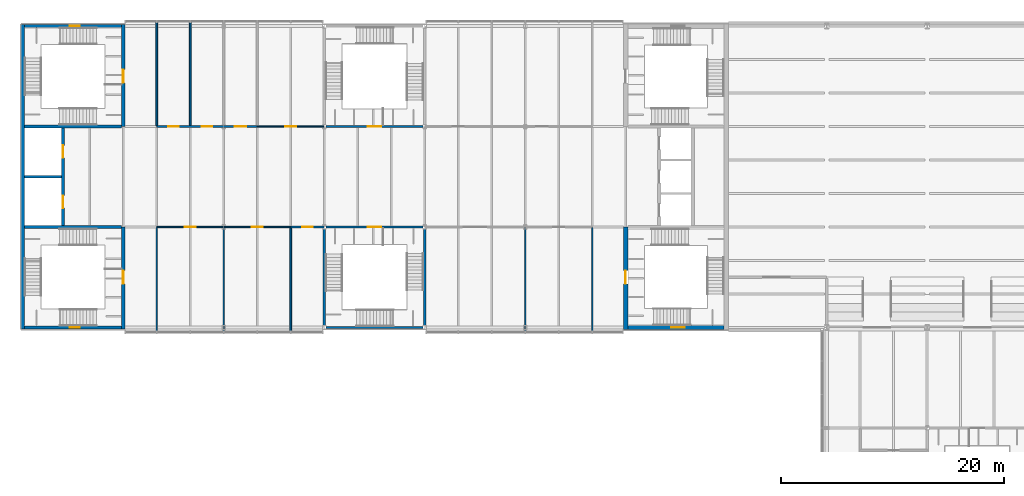
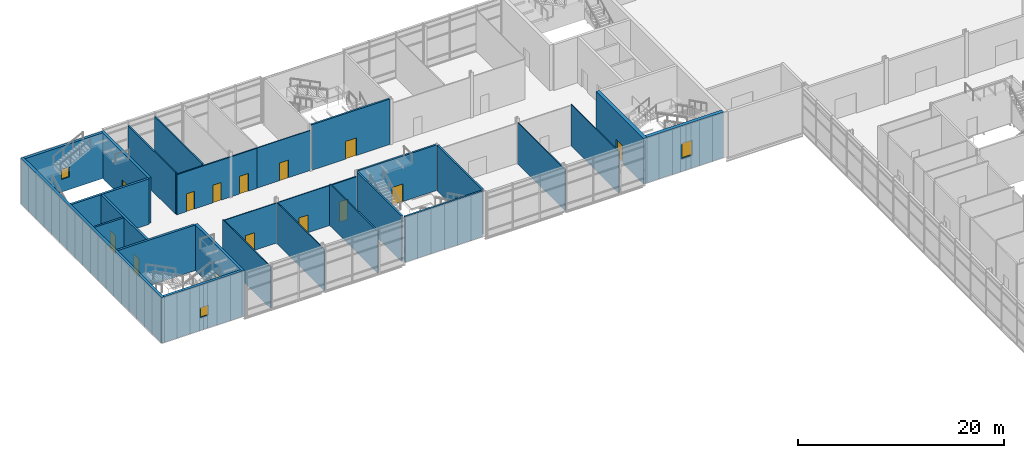
# One storey, part 35 of 52: 27 walls, 14 doors, 3 windows, 17 openings.
"""IFC4 building model written with IfcOpenShell, lengths in metres."""

from ifc_helpers import new_model, si_unit, direction, frame, frame_2d, origin, place, context, subcontext, project, spatial, rectangle, extrude, material, layer, layer_set, type_object, element, fill, save


model = new_model("IFC4")

# Units and contexts
model_context = context("Model", 3, precision=1e-05, world=origin(), true_north=direction((0.0, 1.0)))
body_context = subcontext(model_context, "Body", "Model", "MODEL_VIEW")
ifc_project = project(units=[si_unit("LENGTHUNIT", "METRE"), si_unit("AREAUNIT", "SQUARE_METRE"), si_unit("VOLUMEUNIT", "CUBIC_METRE"), si_unit("PLANEANGLEUNIT", "RADIAN"), si_unit("MASSUNIT", "GRAM", prefix="KILO")], contexts=[model_context])

# Site, building, storey
site_placement = place(None, origin())
site = spatial("IfcSite", under=ifc_project, at=site_placement, CompositionType="ELEMENT")
building_placement = place(site_placement, origin())
building = spatial("IfcBuilding", under=site, at=building_placement, Name="Azimuth Sports and Learning Centre", CompositionType="ELEMENT")
storey_placement = place(building_placement, frame((0.0, 0.0, 16.199951171875)))
storey = spatial("IfcBuildingStorey", under=building, at=storey_placement, Name="L03", CompositionType="ELEMENT", Elevation=16.199951171875)

# Wall
ifc_material_1 = material(Name="Dense masonry blockwork", Category="masonry")
ifc_layer_1 = layer(ifc_material_1, 0.199951171875)
ifc_layer_set_1 = layer_set([ifc_layer_1], Name="Dense masonry blockwork")
wall_type_1 = type_object("IfcWallType", Name="Blockwork wall 200 EI 120", PredefinedType="SOLIDWALL", material=ifc_layer_set_1)
wall_1_placement = place(storey_placement, frame((0.14990234375, 103.5, 0.0), z_axis=(0.0, 0.0, 1.0), x_axis=(1.0, 0.0, 0.0)))
element("IfcWall", 1, at=wall_1_placement, inside=storey, type_object=wall_type_1, Name="SD-WW-1-L03", PredefinedType="SOLIDWALL", context=body_context, shape_type="SweptSolid", body=[
    extrude(rectangle(XDim=3.3251953125, YDim=0.199951171875, at=frame_2d((1.66259765625, 0.0))), origin(), (0.0, 0.0, 1.0), 5.400146484375),
])

# Wall, openings, doors
ifc_material_2 = material(Name="Gypsum board on steel studs", Category="steel")
ifc_layer_2 = layer(ifc_material_2, 0.10009765625)
ifc_layer_set_2 = layer_set([ifc_layer_2], Name="Gypsum board on steel studs")
wall_type_2 = type_object("IfcWallType", Name="Partition 100 EI 30", PredefinedType="PARTITIONING", material=ifc_layer_set_2)
wall_2_placement = place(storey_placement, frame((12.0, 99.0, 0.0), z_axis=(0.0, 0.0, 1.0), x_axis=(1.0, 0.0, 0.0)))
wall_2 = element("IfcWall", 2, at=wall_2_placement, inside=storey, type_object=wall_type_2, Name="Partition 100 EI 30", PredefinedType="PARTITIONING", context=body_context, shape_type="SweptSolid", body=[
    extrude(rectangle(XDim=12.0, YDim=0.10009765625, at=frame_2d((6.0, 0.0))), origin(), (0.0, 0.0, 1.0), 4.75),
])
opening_1_placement = place(wall_2_placement, frame((2.5, 0.0, 0.0)))
opening_1 = element("IfcOpeningElement", 3, at=opening_1_placement, cuts=wall_2, Name="Opening D03-031", PredefinedType="OPENING", context=body_context, shape_type="SweptSolid", body=[
    extrude(rectangle(XDim=1.0, YDim=2.10009765625, at=frame_2d((0.5, 1.050048828125))), frame((0.0, 0.06103515625, 0.0), z_axis=(0.0, -1.0, 0.0), x_axis=(1.0, 0.0, 0.0)), (0.0, 0.0, 1.0), 0.1220703125),
])
opening_2_placement = place(wall_2_placement, frame((8.5, 0.0, 0.0)))
opening_2 = element("IfcOpeningElement", 4, at=opening_2_placement, cuts=wall_2, Name="Opening D03-032", PredefinedType="OPENING", context=body_context, shape_type="SweptSolid", body=[
    extrude(rectangle(XDim=1.0, YDim=2.10009765625, at=frame_2d((0.5, 1.050048828125))), frame((0.0, 0.06103515625, 0.0), z_axis=(0.0, -1.0, 0.0), x_axis=(1.0, 0.0, 0.0)), (0.0, 0.0, 1.0), 0.1220703125),
])
ifc_material_3 = material(Name="Timber fire door set", Category="wood")
door_type_1 = type_object("IfcDoorType", Name="Timber door single 1000x2100 FD30S", OperationType="NOTDEFINED", PredefinedType="DOOR", material=ifc_material_3)
door_1_placement = place(opening_1_placement, frame((1.0, 0.0, 0.0), z_axis=(0.0, 0.0, 1.0), x_axis=(-1.0, 0.0, 0.0)))
door_1 = element("IfcDoor", 5, at=door_1_placement, inside=storey, type_object=door_type_1, Name="Door D03-031", OperationType="SINGLE_SWING_RIGHT", OverallHeight=2.10009765625, OverallWidth=1.0, PredefinedType="DOOR", context=body_context, shape_type="SweptSolid", body=[
    extrude(rectangle(XDim=1.0, YDim=2.10009765625, at=frame_2d((0.5, 1.050048828125))), frame((0.0, 0.02490234375, 0.0), z_axis=(0.0, -1.0, 0.0), x_axis=(1.0, 0.0, 0.0)), (0.0, 0.0, 1.0), 0.050048828125),
])
fill(opening_1, door_1)
door_2_placement = place(opening_2_placement, frame((1.0, 0.0, 0.0), z_axis=(0.0, 0.0, 1.0), x_axis=(-1.0, 0.0, 0.0)))
door_2 = element("IfcDoor", 6, at=door_2_placement, inside=storey, type_object=door_type_1, Name="Door D03-032", OperationType="SINGLE_SWING_RIGHT", OverallHeight=2.10009765625, OverallWidth=1.0, PredefinedType="DOOR", context=body_context, shape_type="SweptSolid", body=[
    extrude(rectangle(XDim=1.0, YDim=2.10009765625, at=frame_2d((0.5, 1.050048828125))), frame((0.0, 0.02490234375, 0.0), z_axis=(0.0, -1.0, 0.0), x_axis=(1.0, 0.0, 0.0)), (0.0, 0.0, 1.0), 0.050048828125),
])
fill(opening_2, door_2)

# Wall, opening, door
wall_3_placement = place(storey_placement, frame((21.0, 108.0, 0.0), z_axis=(0.0, 0.0, 1.0), x_axis=(1.0, 0.0, 0.0)))
wall_3 = element("IfcWall", 7, at=wall_3_placement, inside=storey, type_object=wall_type_2, Name="Partition 100 EI 30", PredefinedType="PARTITIONING", context=body_context, shape_type="SweptSolid", body=[
    extrude(rectangle(XDim=6.0, YDim=0.10009765625, at=frame_2d((3.0, 0.0))), origin(), (0.0, 0.0, 1.0), 4.75),
])
opening_3_placement = place(wall_3_placement, frame((2.5, 0.0, 0.0)))
opening_3 = element("IfcOpeningElement", 8, at=opening_3_placement, cuts=wall_3, Name="Opening D03-039", PredefinedType="OPENING", context=body_context, shape_type="SweptSolid", body=[
    extrude(rectangle(XDim=1.0, YDim=2.10009765625, at=frame_2d((0.5, 1.050048828125))), frame((0.0, 0.06103515625, 0.0), z_axis=(0.0, -1.0, 0.0), x_axis=(1.0, 0.0, 0.0)), (0.0, 0.0, 1.0), 0.1220703125),
])
door_3_placement = place(opening_3_placement, origin())
door_3 = element("IfcDoor", 9, at=door_3_placement, inside=storey, type_object=door_type_1, Name="Door D03-039", OperationType="SINGLE_SWING_LEFT", OverallHeight=2.10009765625, OverallWidth=1.0, PredefinedType="DOOR", context=body_context, shape_type="SweptSolid", body=[
    extrude(rectangle(XDim=1.0, YDim=2.10009765625, at=frame_2d((0.5, 1.050048828125))), frame((0.0, 0.02490234375, 0.0), z_axis=(0.0, -1.0, 0.0), x_axis=(1.0, 0.0, 0.0)), (0.0, 0.0, 1.0), 0.050048828125),
])
fill(opening_3, door_3)

# Walls
wall_4_placement = place(storey_placement, frame((12.0, 89.699951171875, 0.0), z_axis=(0.0, 0.0, 1.0), x_axis=(0.0, 1.0, 0.0)))
element("IfcWall", 10, at=wall_4_placement, inside=storey, type_object=wall_type_2, Name="Partition 100 EI 30", PredefinedType="PARTITIONING", context=body_context, shape_type="SweptSolid", body=[
    extrude(rectangle(XDim=9.25, YDim=0.10009765625, at=frame_2d((4.625, 0.0))), origin(), (0.0, 0.0, 1.0), 4.920166015625),
])
for number, where, z_axis, x_axis, name in (
    (11, (18.0, 89.699951171875, 0.0), (0.0, 0.0, 1.0), (0.0, 1.0, 0.0), "Partition 100 EI 30"),
    (12, (45.0, 89.699951171875, 0.0), (0.0, 0.0, 1.0), (0.0, 1.0, 0.0), "Partition 100 EI 30"),
):
    element("IfcWall", number, at=place(storey_placement, frame(where, z_axis=z_axis, x_axis=x_axis)), inside=storey, type_object=wall_type_2, Name=name, PredefinedType="PARTITIONING", context=body_context, shape_type="SweptSolid", body=[
        extrude(rectangle(XDim=9.25, YDim=0.10009765625, at=frame_2d((4.625, 0.0))), origin(), (0.0, 0.0, 1.0), 4.89013671875),
    ])
wall_5_placement = place(storey_placement, frame((51.0, 89.699951171875, 0.0), z_axis=(0.0, 0.0, 1.0), x_axis=(0.0, 1.0, 0.0)))
element("IfcWall", 13, at=wall_5_placement, inside=storey, type_object=wall_type_2, Name="Partition 100 EI 30", PredefinedType="PARTITIONING", context=body_context, shape_type="SweptSolid", body=[
    extrude(rectangle(XDim=9.25, YDim=0.10009765625, at=frame_2d((4.625, 0.0))), origin(), (0.0, 0.0, 1.0), 4.920166015625),
])

# Wall, opening, door
ifc_material_4 = material(Name="Lightweight blockwork, rendered", Category="masonry")
ifc_layer_3 = layer(ifc_material_4, 0.14990234375)
ifc_layer_set_3 = layer_set([ifc_layer_3], Name="Lightweight blockwork, rendered")
wall_type_3 = type_object("IfcWallType", Name="Partition 150 EI 60", PredefinedType="PARTITIONING", material=ifc_layer_set_3)
wall_6_placement = place(storey_placement, frame((24.0, 99.0, 0.0), z_axis=(0.0, 0.0, 1.0), x_axis=(1.0, 0.0, 0.0)))
wall_6 = element("IfcWall", 14, at=wall_6_placement, inside=storey, type_object=wall_type_3, Name="Partition 150 EI 60", PredefinedType="PARTITIONING", context=body_context, shape_type="SweptSolid", body=[
    extrude(rectangle(XDim=3.0, YDim=0.14990234375, at=frame_2d((1.5, 0.0))), origin(), (0.0, 0.0, 1.0), 4.75),
])
opening_4_placement = place(wall_6_placement, frame((1.050048828125, 0.0, 0.0)))
opening_4 = element("IfcOpeningElement", 15, at=opening_4_placement, cuts=wall_6, Name="Opening D03-033", PredefinedType="OPENING", context=body_context, shape_type="SweptSolid", body=[
    extrude(rectangle(XDim=0.89990234375, YDim=2.39990234375, at=frame_2d((0.449951171875, 1.199951171875))), frame((0.0, 0.0859375, 0.0), z_axis=(0.0, -1.0, 0.0), x_axis=(1.0, 0.0, 0.0)), (0.0, 0.0, 1.0), 0.171875),
])
ifc_material_5 = material(Name="Timber fire door set", Category="wood")
door_type_2 = type_object("IfcDoorType", Name="Timber door single 900x2400 FD60", OperationType="NOTDEFINED", PredefinedType="DOOR", material=ifc_material_5)
door_4_placement = place(opening_4_placement, frame((0.89990234375, 0.0, 0.0), z_axis=(0.0, 0.0, 1.0), x_axis=(-1.0, 0.0, 0.0)))
door_4 = element("IfcDoor", 16, at=door_4_placement, inside=storey, type_object=door_type_2, Name="Door D03-033", OperationType="SINGLE_SWING_LEFT", OverallHeight=2.39990234375, OverallWidth=0.89990234375, PredefinedType="DOOR", context=body_context, shape_type="SweptSolid", body=[
    extrude(rectangle(XDim=0.89990234375, YDim=2.39990234375, at=frame_2d((0.449951171875, 1.199951171875))), frame((0.0, 0.02490234375, 0.0), z_axis=(0.0, -1.0, 0.0), x_axis=(1.0, 0.0, 0.0)), (0.0, 0.0, 1.0), 0.050048828125),
])
fill(opening_4, door_4)

# Wall, openings, doors
wall_7_placement = place(storey_placement, frame((12.0, 108.0, 0.0), z_axis=(0.0, 0.0, 1.0), x_axis=(1.0, 0.0, 0.0)))
wall_7 = element("IfcWall", 17, at=wall_7_placement, inside=storey, type_object=wall_type_3, Name="Partition 150 EI 60", PredefinedType="PARTITIONING", context=body_context, shape_type="SweptSolid", body=[
    extrude(rectangle(XDim=9.0, YDim=0.14990234375, at=frame_2d((4.5, 0.0))), origin(), (0.0, 0.0, 1.0), 4.75),
])
opening_5_placement = place(wall_7_placement, frame((1.050048828125, 0.0, 0.0)))
opening_5 = element("IfcOpeningElement", 18, at=opening_5_placement, cuts=wall_7, Name="Opening D03-036", PredefinedType="OPENING", context=body_context, shape_type="SweptSolid", body=[
    extrude(rectangle(XDim=0.89990234375, YDim=2.10009765625, at=frame_2d((0.449951171875, 1.050048828125))), frame((0.0, 0.0859375, 0.0), z_axis=(0.0, -1.0, 0.0), x_axis=(1.0, 0.0, 0.0)), (0.0, 0.0, 1.0), 0.171875),
])
opening_6_placement = place(wall_7_placement, frame((4.050048828125, 0.0, 0.0)))
opening_6 = element("IfcOpeningElement", 19, at=opening_6_placement, cuts=wall_7, Name="Opening D03-037", PredefinedType="OPENING", context=body_context, shape_type="SweptSolid", body=[
    extrude(rectangle(XDim=0.89990234375, YDim=2.10009765625, at=frame_2d((0.449951171875, 1.050048828125))), frame((0.0, 0.0859375, 0.0), z_axis=(0.0, -1.0, 0.0), x_axis=(1.0, 0.0, 0.0)), (0.0, 0.0, 1.0), 0.171875),
])
opening_7_placement = place(wall_7_placement, frame((7.0, 0.0, 0.0)))
opening_7 = element("IfcOpeningElement", 20, at=opening_7_placement, cuts=wall_7, Name="Opening D03-038", PredefinedType="OPENING", context=body_context, shape_type="SweptSolid", body=[
    extrude(rectangle(XDim=1.0, YDim=2.10009765625, at=frame_2d((0.5, 1.050048828125))), frame((0.0, 0.0859375, 0.0), z_axis=(0.0, -1.0, 0.0), x_axis=(1.0, 0.0, 0.0)), (0.0, 0.0, 1.0), 0.171875),
])
ifc_material_6 = material(Name="Timber fire door set", Category="wood")
door_type_3 = type_object("IfcDoorType", Name="Timber door single 1000x2100 FD60", OperationType="NOTDEFINED", PredefinedType="DOOR", material=ifc_material_6)
door_5_placement = place(opening_7_placement, origin())
door_5 = element("IfcDoor", 21, at=door_5_placement, inside=storey, type_object=door_type_3, Name="Door D03-038", OperationType="SINGLE_SWING_LEFT", OverallHeight=2.10009765625, OverallWidth=1.0, PredefinedType="DOOR", context=body_context, shape_type="SweptSolid", body=[
    extrude(rectangle(XDim=1.0, YDim=2.10009765625, at=frame_2d((0.5, 1.050048828125))), frame((0.0, 0.02490234375, 0.0), z_axis=(0.0, -1.0, 0.0), x_axis=(1.0, 0.0, 0.0)), (0.0, 0.0, 1.0), 0.050048828125),
])
fill(opening_7, door_5)
ifc_material_7 = material(Name="Timber fire door set", Category="wood")
door_type_4 = type_object("IfcDoorType", Name="Timber door single 900x2100 FD60", OperationType="NOTDEFINED", PredefinedType="DOOR", material=ifc_material_7)
door_6_placement = place(opening_5_placement, origin())
door_6 = element("IfcDoor", 22, at=door_6_placement, inside=storey, type_object=door_type_4, Name="Door D03-036", OperationType="SINGLE_SWING_RIGHT", OverallHeight=2.10009765625, OverallWidth=0.89990234375, PredefinedType="DOOR", context=body_context, shape_type="SweptSolid", body=[
    extrude(rectangle(XDim=0.89990234375, YDim=2.10009765625, at=frame_2d((0.449951171875, 1.050048828125))), frame((0.0, 0.02490234375, 0.0), z_axis=(0.0, -1.0, 0.0), x_axis=(1.0, 0.0, 0.0)), (0.0, 0.0, 1.0), 0.050048828125),
])
fill(opening_5, door_6)
door_7_placement = place(opening_6_placement, origin())
door_7 = element("IfcDoor", 23, at=door_7_placement, inside=storey, type_object=door_type_4, Name="Door D03-037", OperationType="SINGLE_SWING_LEFT", OverallHeight=2.10009765625, OverallWidth=0.89990234375, PredefinedType="DOOR", context=body_context, shape_type="SweptSolid", body=[
    extrude(rectangle(XDim=0.89990234375, YDim=2.10009765625, at=frame_2d((0.449951171875, 1.050048828125))), frame((0.0, 0.02490234375, 0.0), z_axis=(0.0, -1.0, 0.0), x_axis=(1.0, 0.0, 0.0)), (0.0, 0.0, 1.0), 0.050048828125),
])
fill(opening_6, door_7)

# Walls
for number, where, z_axis, x_axis, name in (
    (24, (12.0, 108.074951171875, 0.0), (0.0, 0.0, 1.0), (0.0, 1.0, 0.0), "Partition 150 EI 60"),
    (25, (15.0, 108.074951171875, 0.0), (0.0, 0.0, 1.0), (0.0, 1.0, 0.0), "Partition 150 EI 60"),
    (26, (24.0, 89.699951171875, 0.0), (0.0, 0.0, 1.0), (0.0, 1.0, 0.0), "Partition 150 EI 60"),
):
    element("IfcWall", number, at=place(storey_placement, frame(where, z_axis=z_axis, x_axis=x_axis)), inside=storey, type_object=wall_type_3, Name=name, PredefinedType="PARTITIONING", context=body_context, shape_type="SweptSolid", body=[
        extrude(rectangle(XDim=9.22509765625, YDim=0.14990234375, at=frame_2d((4.612548828125, 0.0))), origin(), (0.0, 0.0, 1.0), 4.920166015625),
    ])

# Wall, opening, door
ifc_material_8 = material(Name="Concrete C40/50", Category="concrete")
ifc_layer_4 = layer(ifc_material_8, 0.199951171875)
ifc_layer_set_4 = layer_set([ifc_layer_4], Name="Concrete C40/50")
wall_type_4 = type_object("IfcWallType", Name="RC cell wall 200 EI 120", PredefinedType="SHEAR", material=ifc_layer_set_4)
wall_8_placement = place(storey_placement, frame((27.14990234375, 99.0, 0.0), z_axis=(0.0, 0.0, 1.0), x_axis=(1.0, 0.0, 0.0)))
wall_8 = element("IfcWall", 27, at=wall_8_placement, inside=storey, type_object=wall_type_4, Name="CE-WM1-N-L03", PredefinedType="SHEAR", context=body_context, shape_type="SweptSolid", body=[
    extrude(rectangle(XDim=8.7001953125, YDim=0.199951171875, at=frame_2d((4.35009765625, 0.0))), origin(), (0.0, 0.0, 1.0), 5.400146484375),
])
opening_8_placement = place(wall_8_placement, frame((3.75, 0.0, 0.0)))
opening_8 = element("IfcOpeningElement", 28, at=opening_8_placement, cuts=wall_8, Name="Opening D03-009", PredefinedType="OPENING", context=body_context, shape_type="SweptSolid", body=[
    extrude(rectangle(XDim=1.199951171875, YDim=2.10009765625, at=frame_2d((0.60009765625, 1.050048828125))), frame((0.0, 0.11083984375, 0.0), z_axis=(0.0, -1.0, 0.0), x_axis=(1.0, 0.0, 0.0)), (0.0, 0.0, 1.0), 0.221923828125),
])
ifc_material_9 = material(Name="Steel", Category="steel")
door_type_5 = type_object("IfcDoorType", Name="Stair fire door 1200 x 2100", OperationType="NOTDEFINED", PredefinedType="DOOR", material=ifc_material_9)
door_8_placement = place(opening_8_placement, origin())
door_8 = element("IfcDoor", 29, at=door_8_placement, inside=storey, type_object=door_type_5, Name="Stair door WM1 L03", OperationType="SINGLE_SWING_LEFT", OverallHeight=2.10009765625, OverallWidth=1.199951171875, PredefinedType="DOOR", context=body_context, shape_type="SweptSolid", body=[
    extrude(rectangle(XDim=1.199951171875, YDim=2.10009765625, at=frame_2d((0.60009765625, 1.050048828125))), frame((0.0, 0.02490234375, 0.0), z_axis=(0.0, -1.0, 0.0), x_axis=(1.0, 0.0, 0.0)), (0.0, 0.0, 1.0), 0.050048828125),
])
fill(opening_8, door_8)

# Walls
for number, where, z_axis, x_axis, name in (
    (30, (27.0, 90.179931640625, 0.0), (0.0, 0.0, 1.0), (0.0, 1.0, 0.0), "CE-WM1-W-L03"),
    (31, (36.0, 90.179931640625, 0.0), (0.0, 0.0, 1.0), (0.0, 1.0, 0.0), "CE-WM1-E-L03"),
):
    element("IfcWall", number, at=place(storey_placement, frame(where, z_axis=z_axis, x_axis=x_axis)), inside=storey, type_object=wall_type_4, Name=name, PredefinedType="SHEAR", context=body_context, shape_type="SweptSolid", body=[
        extrude(rectangle(XDim=8.64013671875, YDim=0.199951171875, at=frame_2d((4.320068359375, 0.0))), origin(), (0.0, 0.0, 1.0), 5.400146484375),
    ])

# Wall, opening, door
wall_9_placement = place(storey_placement, frame((27.14990234375, 108.0, 0.0), z_axis=(0.0, 0.0, 1.0), x_axis=(1.0, 0.0, 0.0)))
wall_9 = element("IfcWall", 32, at=wall_9_placement, inside=storey, type_object=wall_type_4, Name="CE-WM2-S-L03", PredefinedType="SHEAR", context=body_context, shape_type="SweptSolid", body=[
    extrude(rectangle(XDim=8.7001953125, YDim=0.199951171875, at=frame_2d((4.35009765625, 0.0))), origin(), (0.0, 0.0, 1.0), 5.400146484375),
])
opening_9_placement = place(wall_9_placement, frame((3.75, 0.0, 0.0)))
opening_9 = element("IfcOpeningElement", 33, at=opening_9_placement, cuts=wall_9, Name="Opening D03-010", PredefinedType="OPENING", context=body_context, shape_type="SweptSolid", body=[
    extrude(rectangle(XDim=1.199951171875, YDim=2.10009765625, at=frame_2d((0.60009765625, 1.050048828125))), frame((0.0, 0.11083984375, 0.0), z_axis=(0.0, -1.0, 0.0), x_axis=(1.0, 0.0, 0.0)), (0.0, 0.0, 1.0), 0.221923828125),
])
door_9_placement = place(opening_9_placement, frame((1.199951171875, 0.0, 0.0), z_axis=(0.0, 0.0, 1.0), x_axis=(-1.0, 0.0, 0.0)))
door_9 = element("IfcDoor", 34, at=door_9_placement, inside=storey, type_object=door_type_5, Name="Stair door WM2 L03", OperationType="SINGLE_SWING_RIGHT", OverallHeight=2.10009765625, OverallWidth=1.199951171875, PredefinedType="DOOR", context=body_context, shape_type="SweptSolid", body=[
    extrude(rectangle(XDim=1.199951171875, YDim=2.10009765625, at=frame_2d((0.60009765625, 1.050048828125))), frame((0.0, 0.02490234375, 0.0), z_axis=(0.0, -1.0, 0.0), x_axis=(1.0, 0.0, 0.0)), (0.0, 0.0, 1.0), 0.050048828125),
])
fill(opening_9, door_9)

# Walls
ifc_material_10 = material(Name="Concrete C40/50", Category="concrete")
ifc_layer_5 = layer(ifc_material_10, 0.25)
ifc_layer_set_5 = layer_set([ifc_layer_5], Name="Concrete C40/50")
wall_type_5 = type_object("IfcWallType", Name="RC core wall 250", PredefinedType="SHEAR", material=ifc_layer_set_5)
for number, where, z_axis, x_axis, name in (
    (35, (0.14990234375, 99.0, 0.0), (0.0, 0.0, 1.0), (1.0, 0.0, 0.0), "Core wall WW D1 L03"),
    (36, (0.14990234375, 108.0, 0.0), (0.0, 0.0, 1.0), (1.0, 0.0, 0.0), "Core wall WW D2 L03"),
):
    element("IfcWall", number, at=place(storey_placement, frame(where, z_axis=z_axis, x_axis=x_axis)), inside=storey, type_object=wall_type_5, Name=name, PredefinedType="SHEAR", context=body_context, shape_type="SweptSolid", body=[
        extrude(rectangle(XDim=8.7001953125, YDim=0.25, at=frame_2d((4.35009765625, 0.0))), origin(), (0.0, 0.0, 1.0), 5.400146484375),
    ])

# Wall, openings, doors
wall_10_placement = place(storey_placement, frame((3.60009765625, 99.125, 0.0), z_axis=(0.0, 0.0, 1.0), x_axis=(0.0, 1.0, 0.0)))
wall_10 = element("IfcWall", 37, at=wall_10_placement, inside=storey, type_object=wall_type_5, Name="Core wall WW LB1 L03", PredefinedType="SHEAR", context=body_context, shape_type="SweptSolid", body=[
    extrude(rectangle(XDim=8.75, YDim=0.25, at=frame_2d((4.375, 0.0))), origin(), (0.0, 0.0, 1.0), 5.400146484375),
])
opening_10_placement = place(wall_10_placement, frame((1.574951171875, 0.0, 0.0)))
opening_10 = element("IfcOpeningElement", 38, at=opening_10_placement, cuts=wall_10, Name="Opening D03-025", PredefinedType="OPENING", context=body_context, shape_type="SweptSolid", body=[
    extrude(rectangle(XDim=1.10009765625, YDim=2.10009765625, at=frame_2d((0.550048828125, 1.050048828125))), frame((0.0, 0.135986328125, 0.0), z_axis=(0.0, -1.0, 0.0), x_axis=(1.0, 0.0, 0.0)), (0.0, 0.0, 1.0), 0.27197265625),
])
opening_11_placement = place(wall_10_placement, frame((6.074951171875, 0.0, 0.0)))
opening_11 = element("IfcOpeningElement", 39, at=opening_11_placement, cuts=wall_10, Name="Opening D03-026", PredefinedType="OPENING", context=body_context, shape_type="SweptSolid", body=[
    extrude(rectangle(XDim=1.10009765625, YDim=2.10009765625, at=frame_2d((0.550048828125, 1.050048828125))), frame((0.0, 0.135986328125, 0.0), z_axis=(0.0, -1.0, 0.0), x_axis=(1.0, 0.0, 0.0)), (0.0, 0.0, 1.0), 0.27197265625),
])
ifc_material_11 = material(Name="Stainless steel", Category="steel")
door_type_6 = type_object("IfcDoorType", Name="Lift landing door 1100 x 2100", OperationType="DOUBLE_DOOR_SLIDING", PredefinedType="DOOR", material=ifc_material_11)
door_10_placement = place(opening_10_placement, origin())
door_10 = element("IfcDoor", 40, at=door_10_placement, inside=storey, type_object=door_type_6, Name="Landing door LWW1 L03", OperationType="DOUBLE_DOOR_SLIDING", OverallHeight=2.10009765625, OverallWidth=1.10009765625, PredefinedType="DOOR", context=body_context, shape_type="SweptSolid", body=[
    extrude(rectangle(XDim=1.10009765625, YDim=2.10009765625, at=frame_2d((0.550048828125, 1.050048828125))), frame((0.0, 0.02490234375, 0.0), z_axis=(0.0, -1.0, 0.0), x_axis=(1.0, 0.0, 0.0)), (0.0, 0.0, 1.0), 0.050048828125),
])
fill(opening_10, door_10)
door_11_placement = place(opening_11_placement, origin())
door_11 = element("IfcDoor", 41, at=door_11_placement, inside=storey, type_object=door_type_6, Name="Landing door LWW2 L03", OperationType="DOUBLE_DOOR_SLIDING", OverallHeight=2.10009765625, OverallWidth=1.10009765625, PredefinedType="DOOR", context=body_context, shape_type="SweptSolid", body=[
    extrude(rectangle(XDim=1.10009765625, YDim=2.10009765625, at=frame_2d((0.550048828125, 1.050048828125))), frame((0.0, 0.02490234375, 0.0), z_axis=(0.0, -1.0, 0.0), x_axis=(1.0, 0.0, 0.0)), (0.0, 0.0, 1.0), 0.050048828125),
])
fill(opening_11, door_11)

# Wall, opening, door
ifc_material_12 = material(Name="Concrete C40/50", Category="concrete")
ifc_layer_6 = layer(ifc_material_12, 0.300048828125)
ifc_layer_set_6 = layer_set([ifc_layer_6], Name="Concrete C40/50")
wall_type_6 = type_object("IfcWallType", Name="RC core wall 300", PredefinedType="SHEAR", material=ifc_layer_set_6)
wall_11_placement = place(storey_placement, frame((9.0, 89.85009765625, 0.0), z_axis=(0.0, 0.0, 1.0), x_axis=(0.0, 1.0, 0.0)))
wall_11 = element("IfcWall", 42, at=wall_11_placement, inside=storey, type_object=wall_type_6, Name="Core wall WW ES L03", PredefinedType="SHEAR", context=body_context, shape_type="SweptSolid", body=[
    extrude(rectangle(XDim=9.14990234375, YDim=0.300048828125, at=frame_2d((4.574951171875, 0.0))), origin(), (0.0, 0.0, 1.0), 5.400146484375),
])
opening_12_placement = place(wall_11_placement, frame((4.050048828125, 0.0, 0.0)))
opening_12 = element("IfcOpeningElement", 43, at=opening_12_placement, cuts=wall_11, Name="Opening D03-005", PredefinedType="OPENING", context=body_context, shape_type="SweptSolid", body=[
    extrude(rectangle(XDim=1.199951171875, YDim=2.10009765625, at=frame_2d((0.60009765625, 1.050048828125))), frame((0.0, 0.1611328125, 0.0), z_axis=(0.0, -1.0, 0.0), x_axis=(1.0, 0.0, 0.0)), (0.0, 0.0, 1.0), 0.322021484375),
])
door_12_placement = place(opening_12_placement, frame((1.199951171875, 0.0, 0.0), z_axis=(0.0, 0.0, 1.0), x_axis=(-1.0, 0.0, 0.0)))
door_12 = element("IfcDoor", 44, at=door_12_placement, inside=storey, type_object=door_type_5, Name="Stair door WW1 L03", OperationType="SINGLE_SWING_LEFT", OverallHeight=2.10009765625, OverallWidth=1.199951171875, PredefinedType="DOOR", context=body_context, shape_type="SweptSolid", body=[
    extrude(rectangle(XDim=1.199951171875, YDim=2.10009765625, at=frame_2d((0.60009765625, 1.050048828125))), frame((0.0, 0.02490234375, 0.0), z_axis=(0.0, -1.0, 0.0), x_axis=(1.0, 0.0, 0.0)), (0.0, 0.0, 1.0), 0.050048828125),
])
fill(opening_12, door_12)

wall_12_placement = place(storey_placement, frame((9.0, 108.0, 0.0), z_axis=(0.0, 0.0, 1.0), x_axis=(0.0, 1.0, 0.0)))
wall_12 = element("IfcWall", 45, at=wall_12_placement, inside=storey, type_object=wall_type_6, Name="Core wall WW EN L03", PredefinedType="SHEAR", context=body_context, shape_type="SweptSolid", body=[
    extrude(rectangle(XDim=9.14990234375, YDim=0.300048828125, at=frame_2d((4.574951171875, 0.0))), origin(), (0.0, 0.0, 1.0), 5.400146484375),
])
opening_13_placement = place(wall_12_placement, frame((3.89990234375, 0.0, 0.0)))
opening_13 = element("IfcOpeningElement", 46, at=opening_13_placement, cuts=wall_12, Name="Opening D03-006", PredefinedType="OPENING", context=body_context, shape_type="SweptSolid", body=[
    extrude(rectangle(XDim=1.199951171875, YDim=2.10009765625, at=frame_2d((0.60009765625, 1.050048828125))), frame((0.0, 0.1611328125, 0.0), z_axis=(0.0, -1.0, 0.0), x_axis=(1.0, 0.0, 0.0)), (0.0, 0.0, 1.0), 0.322021484375),
])
door_13_placement = place(opening_13_placement, frame((1.199951171875, 0.0, 0.0), z_axis=(0.0, 0.0, 1.0), x_axis=(-1.0, 0.0, 0.0)))
door_13 = element("IfcDoor", 47, at=door_13_placement, inside=storey, type_object=door_type_5, Name="Stair door WW2 L03", OperationType="SINGLE_SWING_RIGHT", OverallHeight=2.10009765625, OverallWidth=1.199951171875, PredefinedType="DOOR", context=body_context, shape_type="SweptSolid", body=[
    extrude(rectangle(XDim=1.199951171875, YDim=2.10009765625, at=frame_2d((0.60009765625, 1.050048828125))), frame((0.0, 0.02490234375, 0.0), z_axis=(0.0, -1.0, 0.0), x_axis=(1.0, 0.0, 0.0)), (0.0, 0.0, 1.0), 0.050048828125),
])
fill(opening_13, door_13)

ifc_material_13 = material(Name="Concrete C40/50", Category="concrete")
ifc_layer_7 = layer(ifc_material_13, 0.39990234375)
ifc_layer_set_7 = layer_set([ifc_layer_7], Name="Concrete C40/50")
wall_type_7 = type_object("IfcWallType", Name="RC core wall 400", PredefinedType="SHEAR", material=ifc_layer_set_7)
wall_13_placement = place(storey_placement, frame((54.0, 89.800048828125, 0.0), z_axis=(0.0, 0.0, 1.0), x_axis=(0.0, 1.0, 0.0)))
wall_13 = element("IfcWall", 48, at=wall_13_placement, inside=storey, type_object=wall_type_7, Name="Core wall W WS L03", PredefinedType="SHEAR", context=body_context, shape_type="SweptSolid", body=[
    extrude(rectangle(XDim=9.199951171875, YDim=0.39990234375, at=frame_2d((4.60009765625, 0.0))), origin(), (0.0, 0.0, 1.0), 5.400146484375),
])
opening_14_placement = place(wall_13_placement, frame((4.10009765625, 0.0, 0.0)))
opening_14 = element("IfcOpeningElement", 49, at=opening_14_placement, cuts=wall_13, Name="Opening D03-001", PredefinedType="OPENING", context=body_context, shape_type="SweptSolid", body=[
    extrude(rectangle(XDim=1.199951171875, YDim=2.10009765625, at=frame_2d((0.60009765625, 1.050048828125))), frame((0.0, 0.2109375, 0.0), z_axis=(0.0, -1.0, 0.0), x_axis=(1.0, 0.0, 0.0)), (0.0, 0.0, 1.0), 0.421875),
])
door_14_placement = place(opening_14_placement, origin())
door_14 = element("IfcDoor", 50, at=door_14_placement, inside=storey, type_object=door_type_5, Name="Stair door W1 L03", OperationType="SINGLE_SWING_RIGHT", OverallHeight=2.10009765625, OverallWidth=1.199951171875, PredefinedType="DOOR", context=body_context, shape_type="SweptSolid", body=[
    extrude(rectangle(XDim=1.199951171875, YDim=2.10009765625, at=frame_2d((0.60009765625, 1.050048828125))), frame((0.0, 0.02490234375, 0.0), z_axis=(0.0, -1.0, 0.0), x_axis=(1.0, 0.0, 0.0)), (0.0, 0.0, 1.0), 0.050048828125),
])
fill(opening_14, door_14)

# Wall
ifc_material_14 = material(Name="Concrete C40/50", Category="concrete")
ifc_layer_8 = layer(ifc_material_14, 0.199951171875)
ifc_layer_set_8 = layer_set([ifc_layer_8], Name="Concrete C40/50")
wall_type_8 = type_object("IfcWallType", Name="RC external cell wall 200 EI 120", PredefinedType="SHEAR", material=ifc_layer_set_8)
wall_14_placement = place(storey_placement, frame((27.14990234375, 90.0, 0.0), z_axis=(0.0, 0.0, 1.0), x_axis=(1.0, 0.0, 0.0)))
element("IfcWall", 51, at=wall_14_placement, inside=storey, type_object=wall_type_8, Name="CE-WM1-S-L03", PredefinedType="SHEAR", context=body_context, shape_type="SweptSolid", body=[
    extrude(rectangle(XDim=8.7001953125, YDim=0.199951171875, at=frame_2d((4.35009765625, 0.0))), origin(), (0.0, 0.0, 1.0), 5.400146484375),
])

# Wall, opening, window
ifc_material_15 = material(Name="Concrete C40/50", Category="concrete")
ifc_layer_9 = layer(ifc_material_15, 0.300048828125)
ifc_layer_set_9 = layer_set([ifc_layer_9], Name="Concrete C40/50")
wall_type_9 = type_object("IfcWallType", Name="RC external core wall 300", PredefinedType="SHEAR", material=ifc_layer_set_9)
wall_15_placement = place(storey_placement, frame((0.14990234375, 90.0, 0.0), z_axis=(0.0, 0.0, 1.0), x_axis=(1.0, 0.0, 0.0)))
wall_15 = element("IfcWall", 52, at=wall_15_placement, inside=storey, type_object=wall_type_9, Name="Core wall WW S L03", PredefinedType="SHEAR", context=body_context, shape_type="SweptSolid", body=[
    extrude(rectangle(XDim=8.7001953125, YDim=0.300048828125, at=frame_2d((4.35009765625, 0.0))), origin(), (0.0, 0.0, 1.0), 5.400146484375),
])
opening_15_placement = place(wall_15_placement, frame((4.050048828125, 0.0, 1.5)))
opening_15 = element("IfcOpeningElement", 53, at=opening_15_placement, cuts=wall_15, Name="Opening W03-001", PredefinedType="OPENING", context=body_context, shape_type="SweptSolid", body=[
    extrude(rectangle(XDim=0.89990234375, YDim=1.199951171875, at=frame_2d((0.449951171875, 0.60009765625))), frame((0.0, 0.1611328125, 0.0), z_axis=(0.0, -1.0, 0.0), x_axis=(1.0, 0.0, 0.0)), (0.0, 0.0, 1.0), 0.322021484375),
])
ifc_material_16 = material(Name="Aluminium and glass", Category="aluminium")
window_type_1 = type_object("IfcWindowType", Name="Stair window end core 900x1200", PartitioningType="SINGLE_PANEL", PredefinedType="WINDOW", material=ifc_material_16)
window_1_placement = place(opening_15_placement, origin())
window_1 = element("IfcWindow", 54, at=window_1_placement, inside=storey, type_object=window_type_1, Name="Window W03-001", OverallHeight=1.199951171875, OverallWidth=0.89990234375, PartitioningType="SINGLE_PANEL", PredefinedType="WINDOW", context=body_context, shape_type="SweptSolid", body=[
    extrude(rectangle(XDim=0.89990234375, YDim=1.199951171875, at=frame_2d((0.449951171875, 0.60009765625))), frame((0.0, 0.030029296875, 0.0), z_axis=(0.0, -1.0, 0.0), x_axis=(1.0, 0.0, 0.0)), (0.0, 0.0, 1.0), 0.06005859375),
])
fill(opening_15, window_1)

wall_16_placement = place(storey_placement, frame((0.14990234375, 117.0, 0.0), z_axis=(0.0, 0.0, 1.0), x_axis=(1.0, 0.0, 0.0)))
wall_16 = element("IfcWall", 55, at=wall_16_placement, inside=storey, type_object=wall_type_9, Name="Core wall WW N L03", PredefinedType="SHEAR", context=body_context, shape_type="SweptSolid", body=[
    extrude(rectangle(XDim=8.7001953125, YDim=0.300048828125, at=frame_2d((4.35009765625, 0.0))), origin(), (0.0, 0.0, 1.0), 5.400146484375),
])
opening_16_placement = place(wall_16_placement, frame((4.050048828125, 0.0, 1.5)))
opening_16 = element("IfcOpeningElement", 56, at=opening_16_placement, cuts=wall_16, Name="Opening W03-008", PredefinedType="OPENING", context=body_context, shape_type="SweptSolid", body=[
    extrude(rectangle(XDim=0.89990234375, YDim=1.199951171875, at=frame_2d((0.449951171875, 0.60009765625))), frame((0.0, 0.1611328125, 0.0), z_axis=(0.0, -1.0, 0.0), x_axis=(1.0, 0.0, 0.0)), (0.0, 0.0, 1.0), 0.322021484375),
])
window_2_placement = place(opening_16_placement, origin())
window_2 = element("IfcWindow", 57, at=window_2_placement, inside=storey, type_object=window_type_1, Name="Window W03-008", OverallHeight=1.199951171875, OverallWidth=0.89990234375, PartitioningType="SINGLE_PANEL", PredefinedType="WINDOW", context=body_context, shape_type="SweptSolid", body=[
    extrude(rectangle(XDim=0.89990234375, YDim=1.199951171875, at=frame_2d((0.449951171875, 0.60009765625))), frame((0.0, 0.030029296875, 0.0), z_axis=(0.0, -1.0, 0.0), x_axis=(1.0, 0.0, 0.0)), (0.0, 0.0, 1.0), 0.06005859375),
])
fill(opening_16, window_2)

# Wall
wall_17_placement = place(storey_placement, frame((0.0, 89.85009765625, 0.0), z_axis=(0.0, 0.0, 1.0), x_axis=(0.0, 1.0, 0.0)))
element("IfcWall", 58, at=wall_17_placement, inside=storey, type_object=wall_type_9, Name="Core wall WW W L03", PredefinedType="SHEAR", context=body_context, shape_type="SweptSolid", body=[
    extrude(rectangle(XDim=27.2998046875, YDim=0.300048828125, at=frame_2d((13.64990234375, 0.0))), origin(), (0.0, 0.0, 1.0), 5.400146484375),
])

# Wall, opening, window
ifc_material_17 = material(Name="Concrete C40/50", Category="concrete")
ifc_layer_10 = layer(ifc_material_17, 0.39990234375)
ifc_layer_set_10 = layer_set([ifc_layer_10], Name="Concrete C40/50")
wall_type_10 = type_object("IfcWallType", Name="RC external core wall 400", PredefinedType="SHEAR", material=ifc_layer_set_10)
wall_18_placement = place(storey_placement, frame((54.199951171875, 90.0, 0.0), z_axis=(0.0, 0.0, 1.0), x_axis=(1.0, 0.0, 0.0)))
wall_18 = element("IfcWall", 59, at=wall_18_placement, inside=storey, type_object=wall_type_10, Name="Core wall W S L03", PredefinedType="SHEAR", context=body_context, shape_type="SweptSolid", body=[
    extrude(rectangle(XDim=8.60009765625, YDim=0.39990234375, at=frame_2d((4.300048828125, 0.0))), origin(), (0.0, 0.0, 1.0), 5.400146484375),
])
opening_17_placement = place(wall_18_placement, frame((3.89990234375, 0.0, 1.5)))
opening_17 = element("IfcOpeningElement", 60, at=opening_17_placement, cuts=wall_18, Name="Opening W03-002", PredefinedType="OPENING", context=body_context, shape_type="SweptSolid", body=[
    extrude(rectangle(XDim=1.199951171875, YDim=1.800048828125, at=frame_2d((0.60009765625, 0.89990234375))), frame((0.0, 0.2109375, 0.0), z_axis=(0.0, -1.0, 0.0), x_axis=(1.0, 0.0, 0.0)), (0.0, 0.0, 1.0), 0.421875),
])
ifc_material_18 = material(Name="Aluminium and glass", Category="aluminium")
window_type_2 = type_object("IfcWindowType", Name="Stair window podium core 1200x1800", PartitioningType="SINGLE_PANEL", PredefinedType="WINDOW", material=ifc_material_18)
window_3_placement = place(opening_17_placement, origin())
window_3 = element("IfcWindow", 61, at=window_3_placement, inside=storey, type_object=window_type_2, Name="Window W03-002", OverallHeight=1.800048828125, OverallWidth=1.199951171875, PartitioningType="SINGLE_PANEL", PredefinedType="WINDOW", context=body_context, shape_type="SweptSolid", body=[
    extrude(rectangle(XDim=1.199951171875, YDim=1.800048828125, at=frame_2d((0.60009765625, 0.89990234375))), frame((0.0, 0.030029296875, 0.0), z_axis=(0.0, -1.0, 0.0), x_axis=(1.0, 0.0, 0.0)), (0.0, 0.0, 1.0), 0.06005859375),
])
fill(opening_17, window_3)

save(model, "model.ifc")
